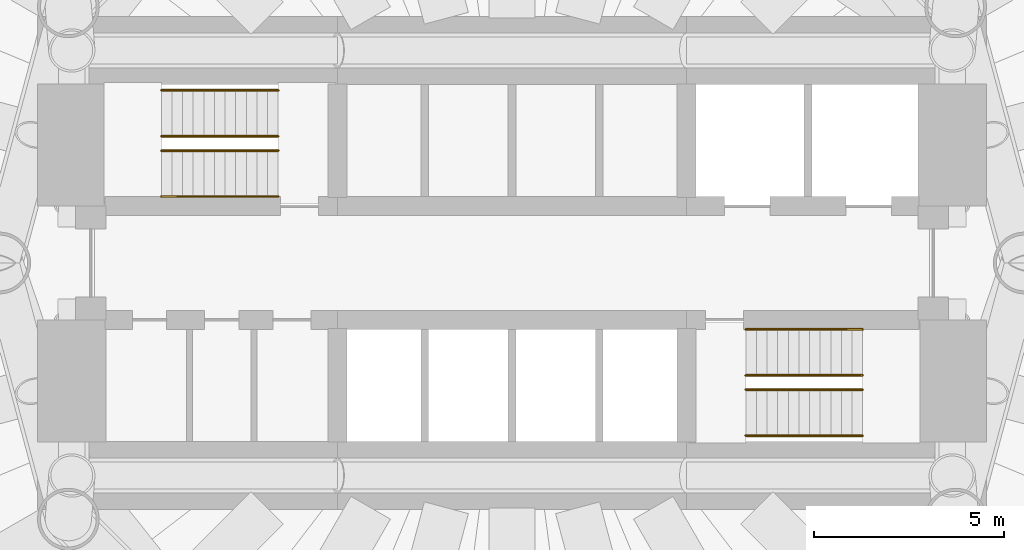
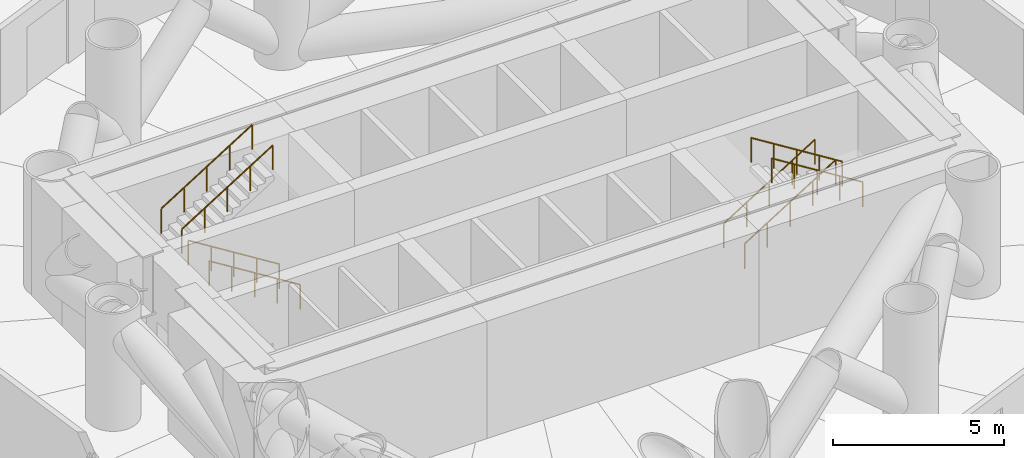
# One storey, part 6 of 6: 8 railings.
"""IFC4 building model written with IfcOpenShell, lengths in metres."""

import ifcopenshell
import ifcopenshell.guid

model = None  # the IFC model being written
_history = None  # IfcOwnerHistory: only IFC2X3 demands one
_inside = {}  # id of a spatial element -> (the spatial element, [elements in it])
_under = {}  # id of a project, library or spatial element -> (it, [spatial elements below it])
_declared = {}  # id of a project -> (the project, [libraries it declares])
_typed = {}  # id of a type object -> (the type object, [elements of that type])
_made_of = {}  # id of a material, layer set ... -> (it, [elements and type objects made of it])


def new_model(schema):
    """Start an empty IFC model of exactly this schema.

    Asked for "IFC4X3", IfcOpenShell would pick the latest addendum, in which some entities
    have other attributes; the version numbers below select the first issue.
    IFC2X3 requires an IfcOwnerHistory on every rooted entity: one is made here for all.
    """
    global model, _history
    if schema == "IFC4X3":
        model = ifcopenshell.file(schema_version=(4, 3, 0, 0))
    else:
        model = ifcopenshell.file(schema=schema)
    _inside.clear()
    _under.clear()
    _declared.clear()
    _typed.clear()
    _made_of.clear()
    _history = None
    if model.schema == "IFC2X3":
        org = make("IfcOrganization", Name="unknown")
        user = make(
            "IfcPersonAndOrganization",
            ThePerson=make("IfcPerson", FamilyName="unknown"),
            TheOrganization=org,
        )
        app = make(
            "IfcApplication",
            ApplicationDeveloper=org,
            Version="unknown",
            ApplicationFullName="unknown",
            ApplicationIdentifier="unknown",
        )
        _history = make(
            "IfcOwnerHistory",
            OwningUser=user,
            OwningApplication=app,
            ChangeAction="ADDED",
            CreationDate=0,
        )
    return model


def make(cls, **values):
    """One entity of the class cls with the attributes given. An attribute that is None is left unset."""
    return model.create_entity(
        cls, **{name: value for name, value in values.items() if value is not None}
    )


def rooted(cls, **values):
    """An entity with a GlobalId (a new one), such as an element, a storey or a relation."""
    return make(cls, GlobalId=ifcopenshell.guid.new(), OwnerHistory=_history, **values)


def si_unit(unit_type, name, prefix=None):
    """IfcSIUnit, for example si_unit("LENGTHUNIT", "METRE", prefix="MILLI")."""
    return make("IfcSIUnit", UnitType=unit_type, Prefix=prefix, Name=name)


def assignment(units):
    """IfcUnitAssignment: the units of a project."""
    return None if units is None else make("IfcUnitAssignment", Units=units)


def point(xyz):
    """IfcCartesianPoint."""
    return None if xyz is None else make("IfcCartesianPoint", Coordinates=xyz)


def direction(xyz):
    """IfcDirection."""
    return None if xyz is None else make("IfcDirection", DirectionRatios=xyz)


def frame(location, z_axis=None, x_axis=None):
    """IfcAxis2Placement3D, a coordinate frame: its origin and axes. An axis left out is left unset."""
    return make(
        "IfcAxis2Placement3D",
        Location=point(location),
        Axis=direction(z_axis),
        RefDirection=direction(x_axis),
    )


def frame_2d(location, x_axis=None):
    """IfcAxis2Placement2D, a coordinate frame in the plane: its origin and x axis."""
    return make(
        "IfcAxis2Placement2D", Location=point(location), RefDirection=direction(x_axis)
    )


def origin():
    """The frame at (0, 0, 0) with its axes left unset."""
    return frame((0.0, 0.0, 0.0))


def origin_2d():
    """The frame at (0, 0) in the plane with its x axis left unset."""
    return frame_2d((0.0, 0.0))


def place(relative_to, where):
    """IfcLocalPlacement: puts the frame where relative to a parent placement (None: the world)."""
    return make(
        "IfcLocalPlacement", PlacementRelTo=relative_to, RelativePlacement=where
    )


def context(
    kind, dimensions, precision=None, world=None, true_north=None, identifier=None
):
    """IfcGeometricRepresentationContext, for example the 3D "Model" context."""
    return make(
        "IfcGeometricRepresentationContext",
        ContextIdentifier=identifier,
        ContextType=kind,
        CoordinateSpaceDimension=dimensions,
        Precision=precision,
        WorldCoordinateSystem=world,
        TrueNorth=true_north,
    )


def subcontext(parent, identifier, kind, view, scale=None):
    """IfcGeometricRepresentationSubContext, for example "Body" below "Model"."""
    return make(
        "IfcGeometricRepresentationSubContext",
        ContextIdentifier=identifier,
        ContextType=kind,
        ParentContext=parent,
        TargetScale=scale,
        TargetView=view,
    )


def project(units=None, contexts=None):
    """IfcProject with its units and contexts."""
    return rooted(
        "IfcProject",
        Name="project",
        RepresentationContexts=contexts,
        UnitsInContext=assignment(units),
    )


def spatial(cls, under=None, at=None, **own):
    """A site, building, storey or space (cls), placed at a placement, below another one or the project."""
    s = rooted(cls, ObjectPlacement=at, **own)
    if under is not None:
        _under.setdefault(under.id(), (under, []))[1].append(s)
    return s


def profile(cls, at=None, kind="AREA", **sizes):
    """A parametric profile (cls). Its sizes go by their IFC names, for example OverallWidth=200.0."""
    return make(cls, ProfileType=kind, Position=at, **sizes)


def circle(**sizes):
    """IfcCircleProfileDef."""
    return profile("IfcCircleProfileDef", **sizes)


def extrude(swept, where, along, depth):
    """IfcExtrudedAreaSolid: the profile swept, set in the frame where, extruded along a direction by depth."""
    return make(
        "IfcExtrudedAreaSolid",
        SweptArea=swept,
        Position=where,
        ExtrudedDirection=direction(along),
        Depth=depth,
    )


def shape(context_of_items, identifier, shape_type, items):
    """IfcShapeRepresentation: the items that make up one representation, for example the "Body"."""
    return make(
        "IfcShapeRepresentation",
        ContextOfItems=context_of_items,
        RepresentationIdentifier=identifier,
        RepresentationType=shape_type,
        Items=items,
    )


def material(Name=None, Category=None):
    """IfcMaterial."""
    return make("IfcMaterial", Name=Name, Category=Category)


def made_of(thing, what):
    """Note that an element or type object is made of a material, layer set ...; save() writes the relation."""
    if what is not None:
        _made_of.setdefault(what.id(), (what, []))[1].append(thing)
    return thing


def type_object(cls, material=None, **own):
    """A type object (cls), such as IfcWallType, which elements share."""
    return made_of(rooted(cls, **own), material)


def element(
    cls,
    number,
    at=None,
    inside=None,
    cuts=None,
    type_object=None,
    material=None,
    context=None,
    identifier="Body",
    shape_type=None,
    held_by="IfcProductDefinitionShape",
    body=None,
    shapes=None,
    **own,
):
    """One element of the class cls, such as IfcWall. Its Tag is "e" and its number.

    at: its placement. inside: the storey or other place that contains it. cuts: it is an
    opening in that element (IfcRelVoidsElement). A single representation is given by context,
    identifier, shape_type and body (its items); several are given by shapes. held_by: the class
    of the entity that holds the representations. save() writes the other relations.
    """
    e = rooted(cls, Tag="e%d" % number, ObjectPlacement=at, **own)
    if body is not None:
        shapes = [shape(context, identifier, shape_type, body)]
    if shapes is not None:
        e.Representation = make(held_by, Representations=shapes)
    if inside is not None:
        _inside.setdefault(inside.id(), (inside, []))[1].append(e)
    if cuts is not None:
        rooted(
            "IfcRelVoidsElement", RelatingBuildingElement=cuts, RelatedOpeningElement=e
        )
    if type_object is not None:
        _typed.setdefault(type_object.id(), (type_object, []))[1].append(e)
    return made_of(e, material)


def aggregate(whole, parts):
    """IfcRelAggregates: a whole, such as a stair, and the parts it consists of."""
    return rooted("IfcRelAggregates", RelatingObject=whole, RelatedObjects=parts)


def save(model, path):
    """Write the relations noted so far, then the file.

    IfcRelAggregates (storeys below a building ...), IfcRelContainedInSpatialStructure (elements
    in a storey), IfcRelDefinesByType, IfcRelAssociatesMaterial and IfcRelDeclares: one each for
    every whole, place, type object, material and project.
    """
    for whole, parts in _under.values():
        aggregate(whole, parts)
    for where, things in _inside.values():
        rooted(
            "IfcRelContainedInSpatialStructure",
            RelatedElements=things,
            RelatingStructure=where,
        )
    for kind, things in _typed.values():
        rooted("IfcRelDefinesByType", RelatedObjects=things, RelatingType=kind)
    for what, things in _made_of.values():
        rooted("IfcRelAssociatesMaterial", RelatedObjects=things, RelatingMaterial=what)
    for by, libraries in _declared.values():
        rooted("IfcRelDeclares", RelatingContext=by, RelatedDefinitions=libraries)
    model.write(path)


model = new_model("IFC4")

# Units and contexts
model_context = context("Model", 3, precision=1e-05, world=origin(), true_north=direction((0.0, 1.0)))
body_context = subcontext(model_context, "Body", "Model", "MODEL_VIEW")
ifc_project = project(units=[si_unit("LENGTHUNIT", "METRE"), si_unit("AREAUNIT", "SQUARE_METRE"), si_unit("VOLUMEUNIT", "CUBIC_METRE"), si_unit("PLANEANGLEUNIT", "RADIAN"), si_unit("MASSUNIT", "GRAM", prefix="KILO")], contexts=[model_context])

# Site, building, storey
site_placement = place(None, origin())
site = spatial("IfcSite", under=ifc_project, at=site_placement, CompositionType="ELEMENT")
building_placement = place(site_placement, origin())
building = spatial("IfcBuilding", under=site, at=building_placement, Name="Qaws Media Tower", CompositionType="ELEMENT")
storey_placement = place(building_placement, frame((0.0, 0.0, 194.0)))
storey = spatial("IfcBuildingStorey", under=building, at=storey_placement, Name="L44", CompositionType="ELEMENT", Elevation=194.0)

# Railings
ifc_material = material(Name="Steel tube handrail", Category="steel")
railing_type = type_object("IfcRailingType", Name="Stair handrail 900", PredefinedType="HANDRAIL", material=ifc_material)
for number, where, name in (
    (1, (53.840087890625, 51.75, 0.175048828125), "HR1 handrail S1 flight 1 L44"),
    (2, (53.840087890625, 52.9599609375, 0.175048828125), "HR1 handrail S1 flight 1 L44"),
):
    element("IfcRailing", number, at=place(storey_placement, frame(where)), inside=storey, type_object=railing_type, Name=name, PredefinedType="HANDRAIL", context=body_context, shape_type="SweptSolid", body=[
        extrude(circle(Radius=0.02392578125, at=origin_2d()), frame((0.0, 0.0, 0.8759765625), z_axis=(-0.847998304005, 0.0, 0.529998940003), x_axis=(0.0, -1.0, 0.0)), (0.0, 0.0, 1.0), 3.632080078125),
        extrude(circle(Radius=0.02099609375, at=origin_2d()), origin(), (0.0, 0.0, 1.0), 0.851806640625),
        extrude(circle(Radius=0.02099609375, at=origin_2d()), frame((-0.77001953125, 0.0, 0.481201171875)), (0.0, 0.0, 1.0), 0.851806640625),
        extrude(circle(Radius=0.02099609375, at=origin_2d()), frame((-1.5400390625, 0.0, 0.96240234375)), (0.0, 0.0, 1.0), 0.851806640625),
        extrude(circle(Radius=0.02099609375, at=origin_2d()), frame((-2.31005859375, 0.0, 1.44384765625)), (0.0, 0.0, 1.0), 0.851806640625),
        extrude(circle(Radius=0.02099609375, at=origin_2d()), frame((-3.080078125, 0.0, 1.925048828125)), (0.0, 0.0, 1.0), 0.851806640625),
    ])
for number, where, name in (
    (3, (50.760009765625, 54.550048828125, 2.27490234375), "HR1 handrail S1 flight 2 L44"),
    (4, (50.760009765625, 53.340087890625, 2.27490234375), "HR1 handrail S1 flight 2 L44"),
    (5, (66.159912109375, 48.25, 0.175048828125), "HR1 handrail S2 flight 1 L44"),
    (6, (66.159912109375, 47.0400390625, 0.175048828125), "HR1 handrail S2 flight 1 L44"),
):
    element("IfcRailing", number, at=place(storey_placement, frame(where)), inside=storey, type_object=railing_type, Name=name, PredefinedType="HANDRAIL", context=body_context, shape_type="SweptSolid", body=[
        extrude(circle(Radius=0.02392578125, at=origin_2d()), frame((0.0, 0.0, 0.8759765625), z_axis=(0.847998304005, 0.0, 0.529998940003), x_axis=(0.0, 1.0, 0.0)), (0.0, 0.0, 1.0), 3.632080078125),
        extrude(circle(Radius=0.02099609375, at=origin_2d()), origin(), (0.0, 0.0, 1.0), 0.851806640625),
        extrude(circle(Radius=0.02099609375, at=origin_2d()), frame((0.77001953125, 0.0, 0.481201171875)), (0.0, 0.0, 1.0), 0.851806640625),
        extrude(circle(Radius=0.02099609375, at=origin_2d()), frame((1.5400390625, 0.0, 0.96240234375)), (0.0, 0.0, 1.0), 0.851806640625),
        extrude(circle(Radius=0.02099609375, at=origin_2d()), frame((2.31005859375, 0.0, 1.44384765625)), (0.0, 0.0, 1.0), 0.851806640625),
        extrude(circle(Radius=0.02099609375, at=origin_2d()), frame((3.080078125, 0.0, 1.925048828125)), (0.0, 0.0, 1.0), 0.851806640625),
    ])
for number, where, name in (
    (7, (69.239990234375, 45.449951171875, 2.27490234375), "HR1 handrail S2 flight 2 L44"),
    (8, (69.239990234375, 46.659912109375, 2.27490234375), "HR1 handrail S2 flight 2 L44"),
):
    element("IfcRailing", number, at=place(storey_placement, frame(where)), inside=storey, type_object=railing_type, Name=name, PredefinedType="HANDRAIL", context=body_context, shape_type="SweptSolid", body=[
        extrude(circle(Radius=0.02392578125, at=origin_2d()), frame((0.0, 0.0, 0.8759765625), z_axis=(-0.847998304005, 0.0, 0.529998940003), x_axis=(0.0, -1.0, 0.0)), (0.0, 0.0, 1.0), 3.632080078125),
        extrude(circle(Radius=0.02099609375, at=origin_2d()), origin(), (0.0, 0.0, 1.0), 0.851806640625),
        extrude(circle(Radius=0.02099609375, at=origin_2d()), frame((-0.77001953125, 0.0, 0.481201171875)), (0.0, 0.0, 1.0), 0.851806640625),
        extrude(circle(Radius=0.02099609375, at=origin_2d()), frame((-1.5400390625, 0.0, 0.96240234375)), (0.0, 0.0, 1.0), 0.851806640625),
        extrude(circle(Radius=0.02099609375, at=origin_2d()), frame((-2.31005859375, 0.0, 1.44384765625)), (0.0, 0.0, 1.0), 0.851806640625),
        extrude(circle(Radius=0.02099609375, at=origin_2d()), frame((-3.080078125, 0.0, 1.925048828125)), (0.0, 0.0, 1.0), 0.851806640625),
    ])

save(model, "model.ifc")
